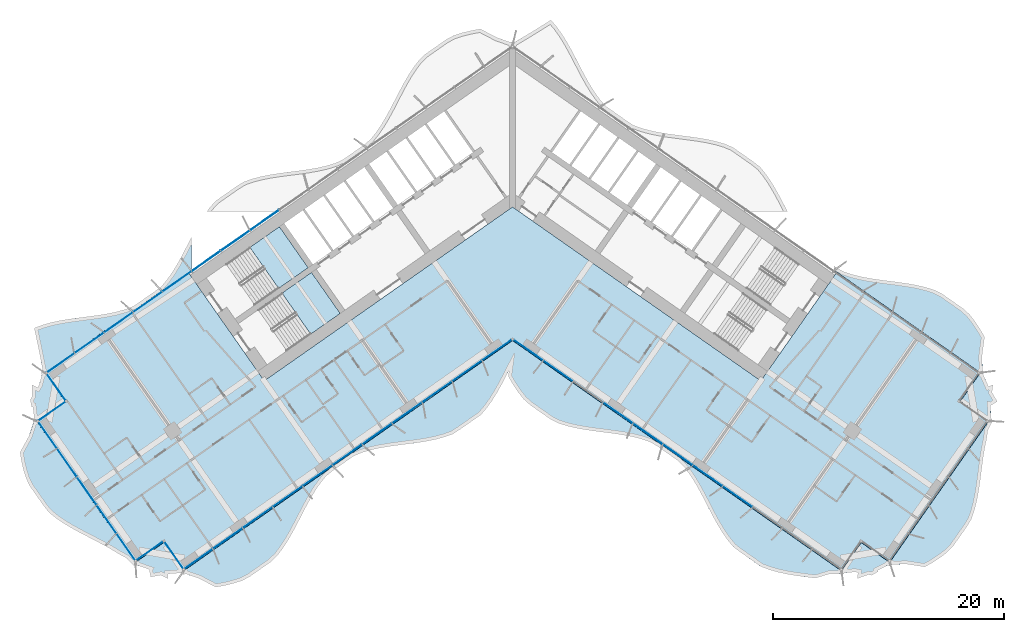
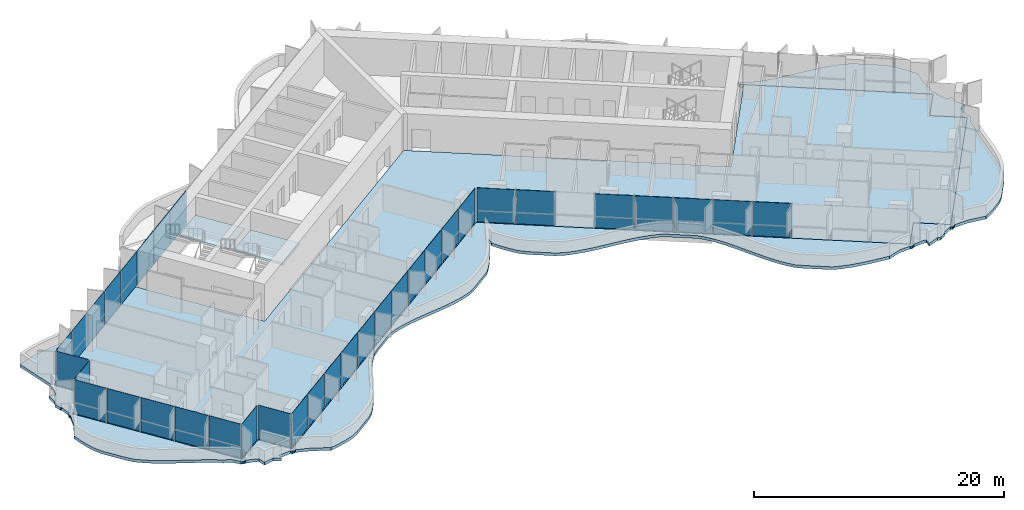
# One storey, part 10 of 23: 35 plates, 4 slabs, 4 elements without a shape of their own.
"""IFC4 building model written with IfcOpenShell, lengths in metres."""

from ifc_helpers import new_model, si_unit, direction, frame, origin, origin_2d, place, context, subcontext, project, spatial, polyline, rectangle, outline, extrude, material, layer, layer_set, type_object, element, aggregate, save


model = new_model("IFC4")

# Units and contexts
model_context = context("Model", 3, precision=1e-05, world=origin(), true_north=direction((0.0, 1.0)))
body_context = subcontext(model_context, "Body", "Model", "MODEL_VIEW")
ifc_project = project(units=[si_unit("LENGTHUNIT", "METRE"), si_unit("AREAUNIT", "SQUARE_METRE"), si_unit("VOLUMEUNIT", "CUBIC_METRE"), si_unit("PLANEANGLEUNIT", "RADIAN"), si_unit("MASSUNIT", "GRAM", prefix="KILO")], contexts=[model_context])

# Site, building, storey
site_placement = place(None, origin())
site = spatial("IfcSite", under=ifc_project, at=site_placement, CompositionType="ELEMENT")
building_placement = place(site_placement, origin())
building = spatial("IfcBuilding", under=site, at=building_placement, Name="Tel Ilan Convention Tower", CompositionType="ELEMENT")
storey_placement = place(building_placement, frame((0.0, 0.0, 104.89990234375)))
storey = spatial("IfcBuildingStorey", under=building, at=storey_placement, Name="L22", CompositionType="ELEMENT", Elevation=104.89990234375)

# Curtain wall, plates
ifc_material_1 = material(Name="Aluminium, bronze anodised", Category="aluminium")
curtain_wall_type_1 = type_object("IfcCurtainWallType", Name="CW1 UNITISED CURTAIN WALL, HOTEL TINTED GLASS", PredefinedType="NOTDEFINED", material=ifc_material_1)
curtain_wall_1_placement = place(storey_placement, origin())
curtain_wall_1 = element("IfcCurtainWall", 1, at=curtain_wall_1_placement, inside=storey, type_object=curtain_wall_type_1, Name="Curtain wall CW1-19.02", PredefinedType="NOTDEFINED")
ifc_material_2 = material(Name="Glass, bronze tinted, two-ply unitised", Category="glass")
ifc_layer_1 = layer(ifc_material_2, 0.028076171875)
ifc_layer_set_1 = layer_set([ifc_layer_1], Name="CW HOTEL GLASS PANEL 28")
plate_type_1 = type_object("IfcPlateType", Name="CW HOTEL GLASS PANEL 28", PredefinedType="CURTAIN_PANEL", material=ifc_layer_set_1)
plate_1_placement = place(storey_placement, frame((-29.1171875, -7.692138671875, 0.0), z_axis=(0.0, 0.0, 1.0), x_axis=(-0.819152044289, -0.573576436351, 0.0)))
plate_1 = element("IfcPlate", 2, at=plate_1_placement, type_object=plate_type_1, Name="Glass panel", PredefinedType="CURTAIN_PANEL", context=body_context, shape_type="SweptSolid", body=[
    extrude(rectangle(XDim=3.037109375, YDim=0.028076171875, at=origin_2d()), origin(), (0.0, 0.0, 1.0), 3.320068359375),
])
plate_2_placement = place(storey_placement, frame((-31.654296875, -9.468505859375, 0.0), z_axis=(0.0, 0.0, 1.0), x_axis=(-0.819152044289, -0.573576436351, 0.0)))
plate_2 = element("IfcPlate", 3, at=plate_2_placement, type_object=plate_type_1, Name="Glass panel", PredefinedType="CURTAIN_PANEL", context=body_context, shape_type="SweptSolid", body=[
    extrude(rectangle(XDim=3.037109375, YDim=0.028076171875, at=origin_2d()), origin(), (0.0, 0.0, 1.0), 3.320068359375),
])
plate_3_placement = place(storey_placement, frame((-34.191162109375, -11.244873046875, 0.0), z_axis=(0.0, 0.0, 1.0), x_axis=(-0.819152044289, -0.573576436351, 0.0)))
plate_3 = element("IfcPlate", 4, at=plate_3_placement, type_object=plate_type_1, Name="Glass panel", PredefinedType="CURTAIN_PANEL", context=body_context, shape_type="SweptSolid", body=[
    extrude(rectangle(XDim=3.037109375, YDim=0.028076171875, at=origin_2d()), origin(), (0.0, 0.0, 1.0), 3.320068359375),
])
plate_4_placement = place(storey_placement, frame((-36.72802734375, -13.021240234375, 0.0), z_axis=(0.0, 0.0, 1.0), x_axis=(-0.819152044289, -0.573576436351, 0.0)))
plate_4 = element("IfcPlate", 5, at=plate_4_placement, type_object=plate_type_1, Name="Glass panel", PredefinedType="CURTAIN_PANEL", context=body_context, shape_type="SweptSolid", body=[
    extrude(rectangle(XDim=3.037109375, YDim=0.028076171875, at=origin_2d()), origin(), (0.0, 0.0, 1.0), 3.320068359375),
])
plate_5_placement = place(storey_placement, frame((-39.2265625, -14.7705078125, 0.0), z_axis=(0.0, 0.0, 1.0), x_axis=(-0.819152044289, -0.573576436351, 0.0)))
plate_5 = element("IfcPlate", 6, at=plate_5_placement, type_object=plate_type_1, Name="Glass panel", PredefinedType="CURTAIN_PANEL", context=body_context, shape_type="SweptSolid", body=[
    extrude(rectangle(XDim=2.943115234375, YDim=0.028076171875, at=origin_2d()), origin(), (0.0, 0.0, 1.0), 3.320068359375),
])
plate_6_placement = place(storey_placement, frame((-39.61328125, -16.82568359375, 0.0), z_axis=(0.0, 0.0, 1.0), x_axis=(0.573576436351, -0.819152044289, 0.0)))
plate_6 = element("IfcPlate", 7, at=plate_6_placement, type_object=plate_type_1, Name="Glass panel", PredefinedType="CURTAIN_PANEL", context=body_context, shape_type="SweptSolid", body=[
    extrude(rectangle(XDim=2.875, YDim=0.028076171875, at=origin_2d()), origin(), (0.0, 0.0, 1.0), 3.320068359375),
])
plate_7_placement = place(storey_placement, frame((-39.990966796875, -18.96826171875, 0.0), z_axis=(0.0, 0.0, 1.0), x_axis=(-0.819152044289, -0.573576436351, 0.0)))
plate_7 = element("IfcPlate", 8, at=plate_7_placement, type_object=plate_type_1, Name="Glass panel", PredefinedType="CURTAIN_PANEL", context=body_context, shape_type="SweptSolid", body=[
    extrude(rectangle(XDim=2.875, YDim=0.028076171875, at=origin_2d()), origin(), (0.0, 0.0, 1.0), 3.320068359375),
])
plate_8_placement = place(storey_placement, frame((-40.358154296875, -20.991943359375, 0.0), z_axis=(0.0, 0.0, 1.0), x_axis=(0.573576436351, -0.819152044289, 0.0)))
plate_8 = element("IfcPlate", 9, at=plate_8_placement, type_object=plate_type_1, Name="Glass panel", PredefinedType="CURTAIN_PANEL", context=body_context, shape_type="SweptSolid", body=[
    extrude(rectangle(XDim=2.845947265625, YDim=0.028076171875, at=origin_2d()), origin(), (0.0, 0.0, 1.0), 3.320068359375),
])
plate_9_placement = place(storey_placement, frame((-38.66455078125, -23.410888671875, 0.0), z_axis=(0.0, 0.0, 1.0), x_axis=(0.573576436351, -0.819152044289, 0.0)))
plate_9 = element("IfcPlate", 10, at=plate_9_placement, type_object=plate_type_1, Name="Glass panel", PredefinedType="CURTAIN_PANEL", context=body_context, shape_type="SweptSolid", body=[
    extrude(rectangle(XDim=2.93994140625, YDim=0.028076171875, at=origin_2d()), origin(), (0.0, 0.0, 1.0), 3.320068359375),
])
plate_10_placement = place(storey_placement, frame((-36.94384765625, -25.868408203125, 0.0), z_axis=(0.0, 0.0, 1.0), x_axis=(0.573576436351, -0.819152044289, 0.0)))
plate_10 = element("IfcPlate", 11, at=plate_10_placement, type_object=plate_type_1, Name="Glass panel", PredefinedType="CURTAIN_PANEL", context=body_context, shape_type="SweptSolid", body=[
    extrude(rectangle(XDim=2.93994140625, YDim=0.028076171875, at=origin_2d()), origin(), (0.0, 0.0, 1.0), 3.320068359375),
])
plate_11_placement = place(storey_placement, frame((-35.22314453125, -28.32568359375, 0.0), z_axis=(0.0, 0.0, 1.0), x_axis=(0.573576436351, -0.819152044289, 0.0)))
plate_11 = element("IfcPlate", 12, at=plate_11_placement, type_object=plate_type_1, Name="Glass panel", PredefinedType="CURTAIN_PANEL", context=body_context, shape_type="SweptSolid", body=[
    extrude(rectangle(XDim=2.93994140625, YDim=0.028076171875, at=origin_2d()), origin(), (0.0, 0.0, 1.0), 3.320068359375),
])
plate_12_placement = place(storey_placement, frame((-33.529296875, -30.74462890625, 0.0), z_axis=(0.0, 0.0, 1.0), x_axis=(0.573576436351, -0.819152044289, 0.0)))
plate_12 = element("IfcPlate", 13, at=plate_12_placement, type_object=plate_type_1, Name="Glass panel", PredefinedType="CURTAIN_PANEL", context=body_context, shape_type="SweptSolid", body=[
    extrude(rectangle(XDim=2.845947265625, YDim=0.028076171875, at=origin_2d()), origin(), (0.0, 0.0, 1.0), 3.320068359375),
])
plate_13_placement = place(storey_placement, frame((-31.502197265625, -31.091796875, 0.0), z_axis=(0.0, 0.0, 1.0), x_axis=(0.819152044289, 0.573576436351, 0.0)))
plate_13 = element("IfcPlate", 14, at=plate_13_placement, type_object=plate_type_1, Name="Glass panel", PredefinedType="CURTAIN_PANEL", context=body_context, shape_type="SweptSolid", body=[
    extrude(rectangle(XDim=2.875, YDim=0.028076171875, at=origin_2d()), origin(), (0.0, 0.0, 1.0), 3.320068359375),
])
plate_14_placement = place(storey_placement, frame((-29.359375, -31.469482421875, 0.0), z_axis=(0.0, 0.0, 1.0), x_axis=(0.573576436351, -0.819152044289, 0.0)))
plate_14 = element("IfcPlate", 15, at=plate_14_placement, type_object=plate_type_1, Name="Glass panel", PredefinedType="CURTAIN_PANEL", context=body_context, shape_type="SweptSolid", body=[
    extrude(rectangle(XDim=2.875, YDim=0.028076171875, at=origin_2d()), origin(), (0.0, 0.0, 1.0), 3.320068359375),
])
plate_15_placement = place(storey_placement, frame((-27.26708984375, -31.78857421875, 0.0), z_axis=(0.0, 0.0, 1.0), x_axis=(0.819152044289, 0.573576436351, 0.0)))
plate_15 = element("IfcPlate", 16, at=plate_15_placement, type_object=plate_type_1, Name="Glass panel", PredefinedType="CURTAIN_PANEL", context=body_context, shape_type="SweptSolid", body=[
    extrude(rectangle(XDim=3.013916015625, YDim=0.028076171875, at=origin_2d()), origin(), (0.0, 0.0, 1.0), 3.320068359375),
])
plate_16_placement = place(storey_placement, frame((-24.71044921875, -29.99853515625, 0.0), z_axis=(0.0, 0.0, 1.0), x_axis=(0.819152044289, 0.573576436351, 0.0)))
plate_16 = element("IfcPlate", 17, at=plate_16_placement, type_object=plate_type_1, Name="Glass panel", PredefinedType="CURTAIN_PANEL", context=body_context, shape_type="SweptSolid", body=[
    extrude(rectangle(XDim=3.10791015625, YDim=0.028076171875, at=origin_2d()), origin(), (0.0, 0.0, 1.0), 3.320068359375),
])
plate_17_placement = place(storey_placement, frame((-22.115478515625, -28.181396484375, 0.0), z_axis=(0.0, 0.0, 1.0), x_axis=(0.819152044289, 0.573576436351, 0.0)))
plate_17 = element("IfcPlate", 18, at=plate_17_placement, type_object=plate_type_1, Name="Glass panel", PredefinedType="CURTAIN_PANEL", context=body_context, shape_type="SweptSolid", body=[
    extrude(rectangle(XDim=3.10791015625, YDim=0.028076171875, at=origin_2d()), origin(), (0.0, 0.0, 1.0), 3.320068359375),
])
plate_18_placement = place(storey_placement, frame((-19.520263671875, -26.3642578125, 0.0), z_axis=(0.0, 0.0, 1.0), x_axis=(0.819152044289, 0.573576436351, 0.0)))
plate_18 = element("IfcPlate", 19, at=plate_18_placement, type_object=plate_type_1, Name="Glass panel", PredefinedType="CURTAIN_PANEL", context=body_context, shape_type="SweptSolid", body=[
    extrude(rectangle(XDim=3.10791015625, YDim=0.028076171875, at=origin_2d()), origin(), (0.0, 0.0, 1.0), 3.320068359375),
])
plate_19_placement = place(storey_placement, frame((-16.92529296875, -24.54736328125, 0.0), z_axis=(0.0, 0.0, 1.0), x_axis=(0.819152044289, 0.573576436351, 0.0)))
plate_19 = element("IfcPlate", 20, at=plate_19_placement, type_object=plate_type_1, Name="Glass panel", PredefinedType="CURTAIN_PANEL", context=body_context, shape_type="SweptSolid", body=[
    extrude(rectangle(XDim=3.10791015625, YDim=0.028076171875, at=origin_2d()), origin(), (0.0, 0.0, 1.0), 3.320068359375),
])
plate_20_placement = place(storey_placement, frame((-14.330078125, -22.730224609375, 0.0), z_axis=(0.0, 0.0, 1.0), x_axis=(0.819152044289, 0.573576436351, 0.0)))
plate_20 = element("IfcPlate", 21, at=plate_20_placement, type_object=plate_type_1, Name="Glass panel", PredefinedType="CURTAIN_PANEL", context=body_context, shape_type="SweptSolid", body=[
    extrude(rectangle(XDim=3.10791015625, YDim=0.028076171875, at=origin_2d()), origin(), (0.0, 0.0, 1.0), 3.320068359375),
])
plate_21_placement = place(storey_placement, frame((-11.735107421875, -20.9130859375, 0.0), z_axis=(0.0, 0.0, 1.0), x_axis=(0.819152044289, 0.573576436351, 0.0)))
plate_21 = element("IfcPlate", 22, at=plate_21_placement, type_object=plate_type_1, Name="Glass panel", PredefinedType="CURTAIN_PANEL", context=body_context, shape_type="SweptSolid", body=[
    extrude(rectangle(XDim=3.10791015625, YDim=0.028076171875, at=origin_2d()), origin(), (0.0, 0.0, 1.0), 3.320068359375),
])
plate_22_placement = place(storey_placement, frame((-9.14013671875, -19.095947265625, 0.0), z_axis=(0.0, 0.0, 1.0), x_axis=(0.819152044289, 0.573576436351, 0.0)))
plate_22 = element("IfcPlate", 23, at=plate_22_placement, type_object=plate_type_1, Name="Glass panel", PredefinedType="CURTAIN_PANEL", context=body_context, shape_type="SweptSolid", body=[
    extrude(rectangle(XDim=3.10791015625, YDim=0.028076171875, at=origin_2d()), origin(), (0.0, 0.0, 1.0), 3.320068359375),
])
plate_23_placement = place(storey_placement, frame((-6.544921875, -17.27880859375, 0.0), z_axis=(0.0, 0.0, 1.0), x_axis=(0.819152044289, 0.573576436351, 0.0)))
plate_23 = element("IfcPlate", 24, at=plate_23_placement, type_object=plate_type_1, Name="Glass panel", PredefinedType="CURTAIN_PANEL", context=body_context, shape_type="SweptSolid", body=[
    extrude(rectangle(XDim=3.10791015625, YDim=0.028076171875, at=origin_2d()), origin(), (0.0, 0.0, 1.0), 3.320068359375),
])
plate_24_placement = place(storey_placement, frame((-3.949951171875, -15.4619140625, 0.0), z_axis=(0.0, 0.0, 1.0), x_axis=(0.819152044289, 0.573576436351, 0.0)))
plate_24 = element("IfcPlate", 25, at=plate_24_placement, type_object=plate_type_1, Name="Glass panel", PredefinedType="CURTAIN_PANEL", context=body_context, shape_type="SweptSolid", body=[
    extrude(rectangle(XDim=3.10791015625, YDim=0.028076171875, at=origin_2d()), origin(), (0.0, 0.0, 1.0), 3.320068359375),
])
plate_25_placement = place(storey_placement, frame((-1.355224609375, -13.64501953125, 0.0), z_axis=(0.0, 0.0, 1.0), x_axis=(0.819152044289, 0.573576436351, 0.0)))
plate_25 = element("IfcPlate", 26, at=plate_25_placement, type_object=plate_type_1, Name="Glass panel", PredefinedType="CURTAIN_PANEL", context=body_context, shape_type="SweptSolid", body=[
    extrude(rectangle(XDim=3.10693359375, YDim=0.028076171875, at=origin_2d()), origin(), (0.0, 0.0, 1.0), 3.320068359375),
])
plate_26_placement = place(storey_placement, frame((1.366943359375, -13.653076171875, 0.0), z_axis=(0.0, 0.0, 1.0), x_axis=(0.819152044289, -0.573576436351, 0.0)))
plate_26 = element("IfcPlate", 27, at=plate_26_placement, type_object=plate_type_1, Name="Glass panel", PredefinedType="CURTAIN_PANEL", context=body_context, shape_type="SweptSolid", body=[
    extrude(rectangle(XDim=3.078857421875, YDim=0.028076171875, at=origin_2d()), origin(), (0.0, 0.0, 1.0), 3.320068359375),
])
plate_27_placement = place(storey_placement, frame((3.949951171875, -15.4619140625, 0.0), z_axis=(0.0, 0.0, 1.0), x_axis=(0.819152044289, -0.573576436351, 0.0)))
plate_27 = element("IfcPlate", 28, at=plate_27_placement, type_object=plate_type_1, Name="Glass panel", PredefinedType="CURTAIN_PANEL", context=body_context, shape_type="SweptSolid", body=[
    extrude(rectangle(XDim=3.10791015625, YDim=0.028076171875, at=origin_2d()), origin(), (0.0, 0.0, 1.0), 3.320068359375),
])
plate_28_placement = place(storey_placement, frame((9.14013671875, -19.095947265625, 0.0), z_axis=(0.0, 0.0, 1.0), x_axis=(0.819152044289, -0.573576436351, 0.0)))
plate_28 = element("IfcPlate", 29, at=plate_28_placement, type_object=plate_type_1, Name="Glass panel", PredefinedType="CURTAIN_PANEL", context=body_context, shape_type="SweptSolid", body=[
    extrude(rectangle(XDim=3.10791015625, YDim=0.028076171875, at=origin_2d()), origin(), (0.0, 0.0, 1.0), 3.320068359375),
])
plate_29_placement = place(storey_placement, frame((11.735107421875, -20.9130859375, 0.0), z_axis=(0.0, 0.0, 1.0), x_axis=(0.819152044289, -0.573576436351, 0.0)))
plate_29 = element("IfcPlate", 30, at=plate_29_placement, type_object=plate_type_1, Name="Glass panel", PredefinedType="CURTAIN_PANEL", context=body_context, shape_type="SweptSolid", body=[
    extrude(rectangle(XDim=3.10791015625, YDim=0.028076171875, at=origin_2d()), origin(), (0.0, 0.0, 1.0), 3.320068359375),
])
plate_30_placement = place(storey_placement, frame((14.330078125, -22.730224609375, 0.0), z_axis=(0.0, 0.0, 1.0), x_axis=(0.819152044289, -0.573576436351, 0.0)))
plate_30 = element("IfcPlate", 31, at=plate_30_placement, type_object=plate_type_1, Name="Glass panel", PredefinedType="CURTAIN_PANEL", context=body_context, shape_type="SweptSolid", body=[
    extrude(rectangle(XDim=3.10791015625, YDim=0.028076171875, at=origin_2d()), origin(), (0.0, 0.0, 1.0), 3.320068359375),
])
plate_31_placement = place(storey_placement, frame((16.92529296875, -24.54736328125, 0.0), z_axis=(0.0, 0.0, 1.0), x_axis=(0.819152044289, -0.573576436351, 0.0)))
plate_31 = element("IfcPlate", 32, at=plate_31_placement, type_object=plate_type_1, Name="Glass panel", PredefinedType="CURTAIN_PANEL", context=body_context, shape_type="SweptSolid", body=[
    extrude(rectangle(XDim=3.10791015625, YDim=0.028076171875, at=origin_2d()), origin(), (0.0, 0.0, 1.0), 3.320068359375),
])
plate_32_placement = place(storey_placement, frame((19.520263671875, -26.3642578125, 0.0), z_axis=(0.0, 0.0, 1.0), x_axis=(0.819152044289, -0.573576436351, 0.0)))
plate_32 = element("IfcPlate", 33, at=plate_32_placement, type_object=plate_type_1, Name="Glass panel", PredefinedType="CURTAIN_PANEL", context=body_context, shape_type="SweptSolid", body=[
    extrude(rectangle(XDim=3.10791015625, YDim=0.028076171875, at=origin_2d()), origin(), (0.0, 0.0, 1.0), 3.320068359375),
])
aggregate(curtain_wall_1, [plate_1, plate_2, plate_3, plate_4, plate_5, plate_6, plate_7, plate_8, plate_9, plate_10, plate_11, plate_12, plate_13, plate_14, plate_15, plate_16, plate_17, plate_18, plate_19, plate_20, plate_21, plate_22, plate_23, plate_24, plate_25, plate_26, plate_27, plate_28, plate_29, plate_30, plate_31, plate_32])

ifc_material_3 = material(Name="Aluminium, bronze anodised", Category="aluminium")
curtain_wall_type_2 = type_object("IfcCurtainWallType", Name="CW2 STICK CURTAIN WALL, SPANDREL PANELS", PredefinedType="NOTDEFINED", material=ifc_material_3)
curtain_wall_2_placement = place(storey_placement, origin())
curtain_wall_2 = element("IfcCurtainWall", 34, at=curtain_wall_2_placement, inside=storey, type_object=curtain_wall_type_2, Name="Curtain wall CW2-19.01", PredefinedType="NOTDEFINED")
ifc_material_4 = material(Name="Aluminium composite panel, bronze anodised", Category="aluminium")
ifc_layer_2 = layer(ifc_material_4, 0.06005859375)
ifc_layer_set_2 = layer_set([ifc_layer_2], Name="CW SPANDREL PANEL 60")
plate_type_2 = type_object("IfcPlateType", Name="CW SPANDREL PANEL 60", PredefinedType="CURTAIN_PANEL", material=ifc_layer_set_2)
plate_33_placement = place(storey_placement, frame((-21.506591796875, -2.363037109375, 0.0), z_axis=(0.0, 0.0, 1.0), x_axis=(-0.819152044289, -0.573576436351, 0.0)))
plate_33 = element("IfcPlate", 35, at=plate_33_placement, type_object=plate_type_2, Name="Spandrel panel", PredefinedType="CURTAIN_PANEL", context=body_context, shape_type="SweptSolid", body=[
    extrude(rectangle(XDim=3.037109375, YDim=0.06005859375, at=origin_2d()), origin(), (0.0, 0.0, 1.0), 3.320068359375),
])
plate_34_placement = place(storey_placement, frame((-24.04345703125, -4.139404296875, 0.0), z_axis=(0.0, 0.0, 1.0), x_axis=(-0.819152044289, -0.573576436351, 0.0)))
plate_34 = element("IfcPlate", 36, at=plate_34_placement, type_object=plate_type_2, Name="Spandrel panel", PredefinedType="CURTAIN_PANEL", context=body_context, shape_type="SweptSolid", body=[
    extrude(rectangle(XDim=3.037109375, YDim=0.06005859375, at=origin_2d()), origin(), (0.0, 0.0, 1.0), 3.320068359375),
])
plate_35_placement = place(storey_placement, frame((-26.580322265625, -5.915771484375, 0.0), z_axis=(0.0, 0.0, 1.0), x_axis=(-0.819152044289, -0.573576436351, 0.0)))
plate_35 = element("IfcPlate", 37, at=plate_35_placement, type_object=plate_type_2, Name="Spandrel panel", PredefinedType="CURTAIN_PANEL", context=body_context, shape_type="SweptSolid", body=[
    extrude(rectangle(XDim=3.037109375, YDim=0.06005859375, at=origin_2d()), origin(), (0.0, 0.0, 1.0), 3.320068359375),
])
aggregate(curtain_wall_2, [plate_33, plate_34, plate_35])

# Stair, slab
ifc_material_5 = material(Name="Concrete C40/50", Category="concrete")
stair_type = type_object("IfcStairType", Name="Pressurised Exit Stair 20 risers 180 mm", PredefinedType="HALF_TURN_STAIR", material=ifc_material_5)
stair_1_placement = place(storey_placement, origin())
stair_1 = element("IfcStair", 38, at=stair_1_placement, inside=storey, type_object=stair_type, Name="L22 Pressurised Stair S1", PredefinedType="HALF_TURN_STAIR")
ifc_material_6 = material(Name="Concrete C40/50", Category="concrete")
ifc_layer_3 = layer(ifc_material_6, 0.199951171875)
ifc_layer_set_3 = layer_set([ifc_layer_3], Name="Concrete Stair Landing 200 mm C40/50")
slab_type_1 = type_object("IfcSlabType", Name="Concrete Stair Landing 200 mm", PredefinedType="LANDING", material=ifc_layer_set_3)
slab_1_placement = place(storey_placement, frame((0.0, 0.0, 1.60009765625)))
slab_1 = element("IfcSlab", 39, at=slab_1_placement, type_object=slab_type_1, Name="S1 landing 1", PredefinedType="LANDING", context=body_context, shape_type="SweptSolid", body=[
    extrude(outline(polyline([(-20.2958984375, -8.29052734375), (-17.7314453125, -6.494873046875), (-20.226318359375, -2.931640625), (-22.791015625, -4.727294921875), (-20.2958984375, -8.29052734375)])), origin(), (0.0, 0.0, 1.0), 0.199951171875),
])
aggregate(stair_1, [slab_1])

stair_2_placement = place(storey_placement, origin())
stair_2 = element("IfcStair", 40, at=stair_2_placement, inside=storey, type_object=stair_type, Name="L22 Pressurised Stair S2", PredefinedType="HALF_TURN_STAIR")
slab_2_placement = place(storey_placement, frame((0.0, 0.0, 1.60009765625)))
slab_2 = element("IfcSlab", 41, at=slab_2_placement, type_object=slab_type_1, Name="S2 landing 1", PredefinedType="LANDING", context=body_context, shape_type="SweptSolid", body=[
    extrude(outline(polyline([(-17.51416015625, -12.263427734375), (-14.949462890625, -10.4677734375), (-17.444580078125, -6.904541015625), (-20.00927734375, -8.7001953125), (-17.51416015625, -12.263427734375)])), origin(), (0.0, 0.0, 1.0), 0.199951171875),
])
aggregate(stair_2, [slab_2])

# Slabs
ifc_material_7 = material(Name="Concrete C40/50", Category="concrete")
ifc_layer_4 = layer(ifc_material_7, 0.280029296875)
ifc_layer_set_4 = layer_set([ifc_layer_4], Name="Edge Ledge Slab 280 mm C40/50")
slab_type_2 = type_object("IfcSlabType", Name="Edge Ledge Slab 280 mm C40/50", PredefinedType="FLOOR", material=ifc_layer_set_4)
slab_3_placement = place(storey_placement, frame((0.0, 0.0, -0.27978515625)))
element("IfcSlab", 42, at=slab_3_placement, inside=storey, type_object=slab_type_2, Name="L22 edge ledge 1", PredefinedType="FLOOR", context=body_context, shape_type="SweptSolid", body=[
    extrude(outline(polyline([(-41.327392578125, -19.781982421875), (-32.723876953125, -32.0693359375), (-30.266357421875, -30.3486328125), (-30.09423828125, -30.59423828125), (-28.714599609375, -32.56494140625), (-28.545654296875, -32.805908203125), (0.0, -12.818115234375), (28.545654296875, -32.805908203125), (28.712890625, -32.567138671875), (30.09423828125, -30.59423828125), (30.266357421875, -30.3486328125), (32.723876953125, -32.0693359375), (41.327392578125, -19.781982421875), (41.08837890625, -19.61474609375), (40.098876953125, -18.921630859375), (38.8701171875, -18.061279296875), (40.5908203125, -15.603759765625), (27.875, -6.7001953125), (27.875, -6.333740234375), (28.040283203125, -6.44970703125), (28.68408203125, -6.820068359375), (29.414794921875, -7.0654296875), (30.181884765625, -7.259521484375), (30.97802734375, -7.412109375), (31.79443359375, -7.535400390625), (32.6220703125, -7.64306640625), (33.450927734375, -7.748779296875), (34.27099609375, -7.86669921875), (35.072998046875, -8.0107421875), (35.84814453125, -8.193115234375), (36.5888671875, -8.4248046875), (37.260498046875, -8.755126953125), (39.077880859375, -10.027587890625), (39.63232421875, -10.525390625), (40.108154296875, -11.13525390625), (40.548583984375, -11.795654296875), (40.96044921875, -12.496826171875), (40.743408203125, -14.096435546875), (40.7626953125, -15.358154296875), (40.759521484375, -15.36279296875), (40.802978515625, -15.3916015625), (40.867919921875, -15.489013671875), (40.890869140625, -15.603759765625), (40.867919921875, -15.718505859375), (40.831787109375, -15.772705078125), (40.83642578125, -15.77587890625), (41.29638671875, -16.79443359375), (41.686767578125, -16.65380859375), (41.602294921875, -17.322509765625), (42.063720703125, -18.10009765625), (41.508056640625, -18.443603515625), (41.487548828125, -18.439453125), (41.49951171875, -19.536376953125), (41.496337890625, -19.541015625), (41.53955078125, -19.56982421875), (41.604736328125, -19.667236328125), (41.62744140625, -19.781982421875), (41.604736328125, -19.896728515625), (41.568603515625, -19.95068359375), (41.5732421875, -19.9541015625), (41.24267578125, -20.594482421875), (41.12841796875, -21.386474609375), (40.97021484375, -22.147705078125), (40.841064453125, -22.929443359375), (40.732421875, -23.72509765625), (40.631103515625, -24.5263671875), (40.52490234375, -25.323974609375), (40.40087890625, -26.10888671875), (40.247314453125, -26.87353515625), (40.0537109375, -27.60986328125), (39.810791015625, -28.311767578125), (39.44189453125, -28.925537109375), (38.212890625, -30.680908203125), (37.701904296875, -31.195068359375), (37.104736328125, -31.64892578125), (36.4619140625, -32.07080078125), (35.769775390625, -32.4580078125), (34.16845703125, -32.208740234375), (32.969482421875, -32.241455078125), (32.96484375, -32.238037109375), (32.93603515625, -32.281494140625), (32.838623046875, -32.346435546875), (32.723876953125, -32.369384765625), (32.60888671875, -32.346435546875), (32.554931640625, -32.310302734375), (32.5517578125, -32.31494140625), (31.685546875, -32.75439453125), (31.7392578125, -32.8447265625), (31.18359375, -33.188232421875), (30.877685546875, -33.126708984375), (29.9072265625, -33.476806640625), (29.97412109375, -32.9453125), (29.716796875, -32.8935546875), (28.79150390625, -32.97802734375), (28.78662109375, -32.974853515625), (28.7578125, -33.018310546875), (28.660400390625, -33.083251953125), (28.545654296875, -33.10595703125), (28.430908203125, -33.083251953125), (28.376953125, -33.047119140625), (28.37353515625, -33.0517578125), (27.44921875, -33.079345703125), (26.29443359375, -33.435546875), (25.462646484375, -33.3310546875), (24.635986328125, -33.218994140625), (23.824462890625, -33.08544921875), (23.03662109375, -32.91748046875), (22.281005859375, -32.7041015625), (21.564697265625, -32.434814453125), (19.742431640625, -31.158935546875), (19.1513671875, -30.71044921875), (18.660888671875, -30.1181640625), (18.2080078125, -29.47216796875), (17.785888671875, -28.782470703125), (17.38623046875, -28.060546875), (16.999755859375, -27.31982421875), (16.61669921875, -26.574462890625), (16.2265625, -25.838623046875), (15.8203125, -25.12646484375), (15.388427734375, -24.450439453125), (14.92333984375, -23.822021484375), (14.404296875, -23.2705078125), (12.58251953125, -21.99462890625), (11.9423828125, -21.61572265625), (11.211669921875, -21.366943359375), (10.444091796875, -21.17041015625), (9.647216796875, -21.015625), (8.829345703125, -20.89111328125), (8.0, -20.782958984375), (7.1689453125, -20.677001953125), (6.34619140625, -20.559326171875), (5.54150390625, -20.416015625), (4.763427734375, -20.234375), (4.02001953125, -20.003662109375), (3.343994140625, -19.676513671875), (1.52197265625, -18.400634765625), (0.964599609375, -17.90380859375), (0.4873046875, -17.293212890625), (0.04541015625, -16.631591796875), (-0.367919921875, -15.928955078125), (-0.29345703125, -15.373291015625), (-0.56103515625, -15.89501953125), (-0.94921875, -16.63330078125), (-1.352294921875, -17.350341796875), (-1.779296875, -18.032958984375), (-2.23828125, -18.669921875), (-2.736572265625, -19.251220703125), (-4.55859375, -20.527099609375), (-5.18212890625, -20.92919921875), (-5.906494140625, -21.1875), (-6.66845703125, -21.39208984375), (-7.4609375, -21.552734375), (-8.27587890625, -21.681396484375), (-9.104248046875, -21.791259765625), (-9.935791015625, -21.896484375), (-10.760498046875, -22.01123046875), (-11.56884765625, -22.1494140625), (-12.351806640625, -22.32421875), (-13.101318359375, -22.546142578125), (-13.797119140625, -22.84521484375), (-15.619140625, -24.12109375), (-16.194091796875, -24.5927734375), (-16.677734375, -25.1943359375), (-17.125, -25.848388671875), (-17.54296875, -26.544189453125), (-17.939697265625, -27.270263671875), (-18.3251953125, -28.0126953125), (-18.708740234375, -28.75732421875), (-19.1005859375, -29.490234375), (-19.510498046875, -30.197509765625), (-19.947509765625, -30.8662109375), (-20.41845703125, -31.486083984375), (-20.957275390625, -32.009521484375), (-22.779296875, -33.28515625), (-23.436767578125, -33.638916015625), (-24.174072265625, -33.87890625), (-24.94677734375, -34.067626953125), (-25.748291015625, -34.2158203125), (-27.177490234375, -33.46728515625), (-28.37353515625, -33.0517578125), (-28.376953125, -33.047119140625), (-28.430908203125, -33.083251953125), (-28.545654296875, -33.10595703125), (-28.660400390625, -33.083251953125), (-28.7578125, -33.018310546875), (-28.78662109375, -32.974853515625), (-28.79150390625, -32.97802734375), (-29.906005859375, -33.06201171875), (-29.9072265625, -33.476806640625), (-30.5068359375, -33.168701171875), (-31.39501953125, -33.336181640625), (-31.52783203125, -32.69677734375), (-31.51708984375, -32.678955078125), (-32.5517578125, -32.31494140625), (-32.554931640625, -32.310302734375), (-32.60888671875, -32.346435546875), (-32.723876953125, -32.369384765625), (-32.838623046875, -32.346435546875), (-32.93603515625, -32.281494140625), (-32.96484375, -32.238037109375), (-32.969482421875, -32.241455078125), (-33.458251953125, -31.711669921875), (-34.16357421875, -31.33349609375), (-34.82470703125, -30.92431640625), (-35.514892578125, -30.535888671875), (-36.2255859375, -30.161376953125), (-36.94384765625, -29.792236328125), (-37.656982421875, -29.419677734375), (-38.352294921875, -29.03466796875), (-39.018310546875, -28.62890625), (-39.643798828125, -28.195068359375), (-40.220458984375, -27.726806640625), (-40.671142578125, -27.170166015625), (-41.900146484375, -25.414794921875), (-42.20849609375, -24.7587890625), (-42.430908203125, -24.04248046875), (-42.607421875, -23.294189453125), (-42.734619140625, -22.51123046875), (-41.95263671875, -21.091796875), (-41.5732421875, -19.9541015625), (-41.568603515625, -19.95068359375), (-41.604736328125, -19.896728515625), (-41.62744140625, -19.781982421875), (-41.604736328125, -19.667236328125), (-41.53955078125, -19.56982421875), (-41.496337890625, -19.541015625), (-41.49951171875, -19.536376953125), (-41.6162109375, -18.572021484375), (-41.719482421875, -18.591552734375), (-41.852294921875, -17.9521484375), (-41.68994140625, -17.685546875), (-41.686767578125, -16.65380859375), (-41.210205078125, -16.898681640625), (-41.073486328125, -16.67431640625), (-40.83642578125, -15.77587890625), (-40.831787109375, -15.772705078125), (-40.867919921875, -15.718505859375), (-40.890869140625, -15.603759765625), (-40.867919921875, -15.489013671875), (-40.802978515625, -15.3916015625), (-40.759521484375, -15.36279296875), (-40.7626953125, -15.358154296875), (-41.11181640625, -13.5703125), (-41.499267578125, -11.727294921875), (-40.784912109375, -11.45849609375), (-40.03076171875, -11.24609375), (-39.244873046875, -11.078857421875), (-38.43505859375, -10.94580078125), (-37.610595703125, -10.833984375), (-36.781005859375, -10.729248046875), (-35.956298828125, -10.61767578125), (-35.146240234375, -10.485107421875), (-34.360107421875, -10.318603515625), (-33.60546875, -10.106689453125), (-32.88916015625, -9.84033203125), (-32.28125, -9.419189453125), (-31.069580078125, -8.57080078125), (-30.476318359375, -8.128662109375), (-29.9853515625, -7.540283203125), (-29.5322265625, -6.89794921875), (-29.10986328125, -6.211669921875), (-28.71044921875, -5.492919921875), (-28.324462890625, -4.754638671875), (-27.9423828125, -4.010986328125), (-27.875, -3.88330078125), (-27.875, -6.7001953125), (-40.5908203125, -15.603759765625), (-38.8701171875, -18.061279296875), (-40.098876953125, -18.921630859375), (-41.08642578125, -19.61328125), (-41.327392578125, -19.781982421875)])), origin(), (0.0, 0.0, 1.0), 0.27978515625),
])
ifc_material_8 = material(Name="Concrete C40/50", Category="concrete")
ifc_layer_5 = layer(ifc_material_8, 0.280029296875)
ifc_layer_set_5 = layer_set([ifc_layer_5], Name="Flat Plate Floor Slab 280 mm C40/50")
slab_type_3 = type_object("IfcSlabType", Name="Flat Plate Floor Slab 280 mm C40/50", PredefinedType="FLOOR", material=ifc_layer_set_5)
slab_4_placement = place(storey_placement, frame((0.0, 0.0, -0.27978515625)))
element("IfcSlab", 43, at=slab_4_placement, inside=storey, type_object=slab_type_3, Name="L22 floor slab", PredefinedType="FLOOR", context=body_context, shape_type="SweptSolid", body=[
    extrude(outline(polyline([(41.08642578125, -19.61328125), (41.327392578125, -19.781982421875), (32.723876953125, -32.0693359375), (30.266357421875, -30.3486328125), (30.09423828125, -30.59423828125), (28.714599609375, -32.56494140625), (28.545654296875, -32.805908203125), (0.0, -12.818115234375), (-28.545654296875, -32.805908203125), (-28.714599609375, -32.56494140625), (-30.09423828125, -30.59423828125), (-30.266357421875, -30.3486328125), (-32.723876953125, -32.0693359375), (-41.327392578125, -19.781982421875), (-41.08642578125, -19.61328125), (-40.098876953125, -18.921630859375), (-38.8701171875, -18.061279296875), (-40.5908203125, -15.603759765625), (-28.1396484375, -6.885498046875), (-21.54345703125, -16.3056640625), (0.0, -1.220703125), (21.54345703125, -16.3056640625), (28.1396484375, -6.885498046875), (40.5908203125, -15.603759765625), (38.8701171875, -18.061279296875), (40.098876953125, -18.921630859375), (41.08642578125, -19.61328125)])), origin(), (0.0, 0.0, 1.0), 0.27978515625),
])

save(model, "model.ifc")
